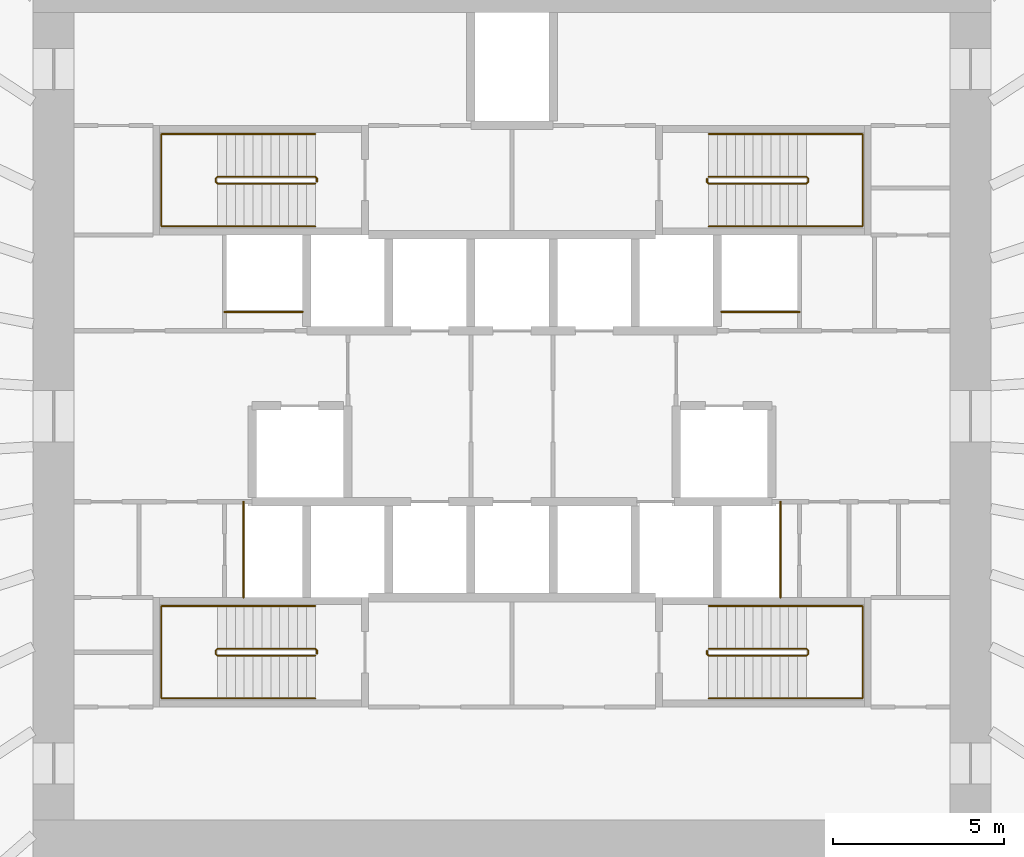
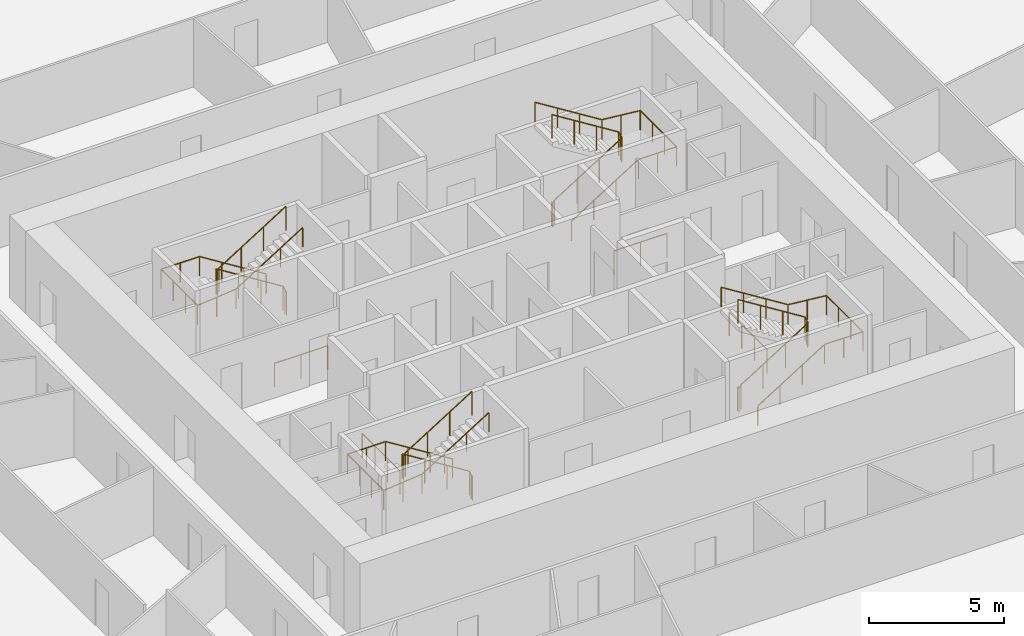
# One storey, part 11 of 11: 12 railings.
"""IFC4 building model written with IfcOpenShell, lengths in metres."""

from ifc_helpers import new_model, si_unit, direction, frame, origin, origin_2d, place, context, subcontext, project, spatial, circle, extrude, source, transform, mapped, material, type_object, element, save


model = new_model("IFC4")

# Units and contexts
model_context = context("Model", 3, precision=1e-05, world=origin(), true_north=direction((0.0, 1.0)))
body_context = subcontext(model_context, "Body", "Model", "MODEL_VIEW")
ifc_project = project(units=[si_unit("LENGTHUNIT", "METRE"), si_unit("AREAUNIT", "SQUARE_METRE"), si_unit("VOLUMEUNIT", "CUBIC_METRE"), si_unit("PLANEANGLEUNIT", "RADIAN"), si_unit("MASSUNIT", "GRAM", prefix="KILO")], contexts=[model_context])

# Site, building, storey
site_placement = place(None, origin())
site = spatial("IfcSite", under=ifc_project, at=site_placement, CompositionType="ELEMENT")
building_placement = place(site_placement, origin())
building = spatial("IfcBuilding", under=site, at=building_placement, Name="Embergate Tower", CompositionType="ELEMENT")
storey_placement = place(building_placement, frame((0.0, 0.0, 58.10009765625)))
storey = spatial("IfcBuildingStorey", under=building, at=storey_placement, Name="L10", CompositionType="ELEMENT", Elevation=58.10009765625)

# Railings
ifc_material_1 = material(Name="Stair handrail 900")
railing_type_1 = type_object("IfcRailingType", Name="Stair handrail 900", PredefinedType="HANDRAIL", material=ifc_material_1)
shared_shape_1 = source(origin(), body_context, "Body", "SweptSolid", [
    extrude(circle(Radius=0.02392578125, at=origin_2d()), frame((0.0, 0.0, 0.8759765625), z_axis=(-0.847994237388, 0.0, 0.530005446535), x_axis=(0.0, -1.0, 0.0)), (0.0, 0.0, 1.0), 3.372802734375),
    extrude(circle(Radius=0.02392578125, at=origin_2d()), frame((-2.860107421875, 0.0, 2.66357421875), z_axis=(-1.0, 0.0, 0.0), x_axis=(0.0, -1.0, 0.0)), (0.0, 0.0, 1.0), 1.639892578125),
    extrude(circle(Radius=0.02392578125, at=origin_2d()), frame((-4.5, 0.0, 2.66357421875), z_axis=(0.0, -1.0, 0.0), x_axis=(1.0, 0.0, 0.0)), (0.0, 0.0, 1.0), 2.699951171875),
    extrude(circle(Radius=0.02392578125, at=origin_2d()), frame((-4.5, -2.699951171875, 2.66357421875), z_axis=(0.995134983717, 0.0, 0.098520881967), x_axis=(0.0, 1.0, 0.0)), (0.0, 0.0, 1.0), 1.64794921875),
    extrude(circle(Radius=0.02392578125, at=origin_2d()), frame((-2.860107421875, -2.699951171875, 2.82568359375), z_axis=(0.847994237388, 0.0, 0.530005446535), x_axis=(0.0, 1.0, 0.0)), (0.0, 0.0, 1.0), 3.372802734375),
    extrude(circle(Radius=0.02099609375, at=origin_2d()), origin(), (0.0, 0.0, 1.0), 0.851806640625),
    extrude(circle(Radius=0.02099609375, at=origin_2d()), frame((-0.953369140625, 0.0, 0.595947265625)), (0.0, 0.0, 1.0), 0.851806640625),
    extrude(circle(Radius=0.02099609375, at=origin_2d()), frame((-1.90673828125, 0.0, 1.191650390625)), (0.0, 0.0, 1.0), 0.851806640625),
    extrude(circle(Radius=0.02099609375, at=origin_2d()), frame((-2.860107421875, 0.0, 1.78759765625)), (0.0, 0.0, 1.0), 0.851806640625),
    extrude(circle(Radius=0.02099609375, at=origin_2d()), frame((-3.68017578125, 0.0, 1.78759765625)), (0.0, 0.0, 1.0), 0.851806640625),
    extrude(circle(Radius=0.02099609375, at=origin_2d()), frame((-4.5, 0.0, 1.78759765625)), (0.0, 0.0, 1.0), 0.851806640625),
    extrude(circle(Radius=0.02099609375, at=origin_2d()), frame((-4.5, -0.89990234375, 1.78759765625)), (0.0, 0.0, 1.0), 0.851806640625),
    extrude(circle(Radius=0.02099609375, at=origin_2d()), frame((-4.5, -1.800048828125, 1.78759765625)), (0.0, 0.0, 1.0), 0.851806640625),
    extrude(circle(Radius=0.02099609375, at=origin_2d()), frame((-4.5, -2.699951171875, 1.78759765625)), (0.0, 0.0, 1.0), 0.851806640625),
    extrude(circle(Radius=0.02099609375, at=origin_2d()), frame((-3.68017578125, -2.699951171875, 1.86865234375)), (0.0, 0.0, 1.0), 0.851806640625),
    extrude(circle(Radius=0.02099609375, at=origin_2d()), frame((-2.860107421875, -2.699951171875, 1.949951171875)), (0.0, 0.0, 1.0), 0.851806640625),
    extrude(circle(Radius=0.02099609375, at=origin_2d()), frame((-1.90673828125, -2.699951171875, 2.5458984375)), (0.0, 0.0, 1.0), 0.851806640625),
    extrude(circle(Radius=0.02099609375, at=origin_2d()), frame((-0.953369140625, -2.699951171875, 3.1416015625)), (0.0, 0.0, 1.0), 0.851806640625),
    extrude(circle(Radius=0.02099609375, at=origin_2d()), frame((0.0, -2.699951171875, 3.737548828125)), (0.0, 0.0, 1.0), 0.851806640625),
])
for number, where, name in (
    (1, (-5.75, 8.25, 0.162353515625), "L10 ST1 stair handrail 1"),
    (2, (-5.75, -5.550048828125, 0.162353515625), "L10 ST3 stair handrail 1"),
):
    element("IfcRailing", number, at=place(storey_placement, frame(where)), inside=storey, type_object=railing_type_1, Name=name, PredefinedType="HANDRAIL", context=body_context, shape_type="MappedRepresentation", body=[
        mapped(shared_shape_1, transform((0.0, 0.0, 0.0))),
    ])
ifc_material_2 = material(Name="Stair guard 1100")
railing_type_2 = type_object("IfcRailingType", Name="Stair guard 1100", PredefinedType="GUARDRAIL", material=ifc_material_2)
shared_shape_2 = source(origin(), body_context, "Body", "SweptSolid", [
    extrude(circle(Radius=0.02392578125, at=origin_2d()), frame((0.0, 0.0, 1.076171875), z_axis=(0.0, 1.0, 0.0), x_axis=(-1.0, 0.0, 0.0)), (0.0, 0.0, 1.0), 0.099853515625),
    extrude(circle(Radius=0.02392578125, at=origin_2d()), frame((0.0, 0.099853515625, 1.076171875), z_axis=(-0.282583949758, 0.282583949758, 0.916674763849), x_axis=(-0.707106781187, -0.707106781187, 0.0)), (0.0, 0.0, 1.0), 0.177001953125),
    extrude(circle(Radius=0.02392578125, at=origin_2d()), frame((-0.050048828125, 0.14990234375, 1.23828125), z_axis=(-0.847994237388, 0.0, 0.530005446535), x_axis=(0.0, -1.0, 0.0)), (0.0, 0.0, 1.0), 3.372802734375),
    extrude(circle(Radius=0.02392578125, at=origin_2d()), frame((-2.91015625, 0.14990234375, 3.02587890625), z_axis=(-0.705375805398, -0.708833529934, 0.0), x_axis=(0.708833529934, -0.705375805398, 0.0)), (0.0, 0.0, 1.0), 0.070556640625),
    extrude(circle(Radius=0.02392578125, at=origin_2d()), frame((-2.9599609375, 0.099853515625, 3.02587890625), z_axis=(0.0, -1.0, 0.0), x_axis=(1.0, 0.0, 0.0)), (0.0, 0.0, 1.0), 0.099853515625),
    extrude(circle(Radius=0.02392578125, at=origin_2d()), frame((-2.9599609375, 0.0, 3.02587890625), z_axis=(0.281314826061, -0.282693820306, 0.917031173188), x_axis=(0.708833529934, 0.705375805398, 0.0)), (0.0, 0.0, 1.0), 0.177001953125),
    extrude(circle(Radius=0.02392578125, at=origin_2d()), frame((-2.91015625, -0.050048828125, 3.1884765625), z_axis=(0.847994237388, 0.0, 0.530005446535), x_axis=(0.0, 1.0, 0.0)), (0.0, 0.0, 1.0), 3.372802734375),
    extrude(circle(Radius=0.02099609375, at=origin_2d()), origin(), (0.0, 0.0, 1.0), 1.052001953125),
    extrude(circle(Radius=0.02099609375, at=origin_2d()), frame((0.0, 0.099853515625, 0.0)), (0.0, 0.0, 1.0), 1.052001953125),
    extrude(circle(Radius=0.02099609375, at=origin_2d()), frame((-0.050048828125, 0.14990234375, 0.162353515625)), (0.0, 0.0, 1.0), 1.052001953125),
    extrude(circle(Radius=0.02099609375, at=origin_2d()), frame((-1.00341796875, 0.14990234375, 0.75830078125)), (0.0, 0.0, 1.0), 1.052001953125),
    extrude(circle(Radius=0.02099609375, at=origin_2d()), frame((-1.956787109375, 0.14990234375, 1.35400390625)), (0.0, 0.0, 1.0), 1.052001953125),
    extrude(circle(Radius=0.02099609375, at=origin_2d()), frame((-2.91015625, 0.14990234375, 1.949951171875)), (0.0, 0.0, 1.0), 1.052001953125),
    extrude(circle(Radius=0.02099609375, at=origin_2d()), frame((-2.9599609375, 0.099853515625, 1.949951171875)), (0.0, 0.0, 1.0), 1.052001953125),
    extrude(circle(Radius=0.02099609375, at=origin_2d()), frame((-2.9599609375, 0.0, 1.949951171875)), (0.0, 0.0, 1.0), 1.052001953125),
    extrude(circle(Radius=0.02099609375, at=origin_2d()), frame((-2.91015625, -0.050048828125, 2.1123046875)), (0.0, 0.0, 1.0), 1.052001953125),
    extrude(circle(Radius=0.02099609375, at=origin_2d()), frame((-1.956787109375, -0.050048828125, 2.708251953125)), (0.0, 0.0, 1.0), 1.052001953125),
    extrude(circle(Radius=0.02099609375, at=origin_2d()), frame((-1.00341796875, -0.050048828125, 3.303955078125)), (0.0, 0.0, 1.0), 1.052001953125),
    extrude(circle(Radius=0.02099609375, at=origin_2d()), frame((-0.050048828125, -0.050048828125, 3.89990234375)), (0.0, 0.0, 1.0), 1.052001953125),
])
for number, where, name in (
    (3, (-5.699951171875, 6.85009765625, 0.0), "L10 ST1 stair guard 1"),
    (4, (-5.699951171875, -6.949951171875, 0.0), "L10 ST3 stair guard 1"),
):
    element("IfcRailing", number, at=place(storey_placement, frame(where)), inside=storey, type_object=railing_type_2, Name=name, PredefinedType="GUARDRAIL", context=body_context, shape_type="MappedRepresentation", body=[
        mapped(shared_shape_2, transform((0.0, 0.0, 0.0))),
    ])
shared_shape_3 = source(origin(), body_context, "Body", "SweptSolid", [
    extrude(circle(Radius=0.02392578125, at=origin_2d()), frame((0.0, 0.0, 0.8759765625), z_axis=(0.847994237388, 0.0, 0.530005446535), x_axis=(0.0, 1.0, 0.0)), (0.0, 0.0, 1.0), 3.372802734375),
    extrude(circle(Radius=0.02392578125, at=origin_2d()), frame((2.860107421875, 0.0, 2.66357421875), z_axis=(1.0, 0.0, 0.0), x_axis=(0.0, 1.0, 0.0)), (0.0, 0.0, 1.0), 1.639892578125),
    extrude(circle(Radius=0.02392578125, at=origin_2d()), frame((4.5, 0.0, 2.66357421875), z_axis=(0.0, 1.0, 0.0), x_axis=(-1.0, 0.0, 0.0)), (0.0, 0.0, 1.0), 2.699951171875),
    extrude(circle(Radius=0.02392578125, at=origin_2d()), frame((4.5, 2.699951171875, 2.66357421875), z_axis=(-0.995134983717, 0.0, 0.098520881967), x_axis=(0.0, -1.0, 0.0)), (0.0, 0.0, 1.0), 1.64794921875),
    extrude(circle(Radius=0.02392578125, at=origin_2d()), frame((2.860107421875, 2.699951171875, 2.82568359375), z_axis=(-0.847994237388, 0.0, 0.530005446535), x_axis=(0.0, -1.0, 0.0)), (0.0, 0.0, 1.0), 3.372802734375),
    extrude(circle(Radius=0.02099609375, at=origin_2d()), origin(), (0.0, 0.0, 1.0), 0.851806640625),
    extrude(circle(Radius=0.02099609375, at=origin_2d()), frame((0.953369140625, 0.0, 0.595947265625)), (0.0, 0.0, 1.0), 0.851806640625),
    extrude(circle(Radius=0.02099609375, at=origin_2d()), frame((1.90673828125, 0.0, 1.191650390625)), (0.0, 0.0, 1.0), 0.851806640625),
    extrude(circle(Radius=0.02099609375, at=origin_2d()), frame((2.860107421875, 0.0, 1.78759765625)), (0.0, 0.0, 1.0), 0.851806640625),
    extrude(circle(Radius=0.02099609375, at=origin_2d()), frame((3.68017578125, 0.0, 1.78759765625)), (0.0, 0.0, 1.0), 0.851806640625),
    extrude(circle(Radius=0.02099609375, at=origin_2d()), frame((4.5, 0.0, 1.78759765625)), (0.0, 0.0, 1.0), 0.851806640625),
    extrude(circle(Radius=0.02099609375, at=origin_2d()), frame((4.5, 0.89990234375, 1.78759765625)), (0.0, 0.0, 1.0), 0.851806640625),
    extrude(circle(Radius=0.02099609375, at=origin_2d()), frame((4.5, 1.800048828125, 1.78759765625)), (0.0, 0.0, 1.0), 0.851806640625),
    extrude(circle(Radius=0.02099609375, at=origin_2d()), frame((4.5, 2.699951171875, 1.78759765625)), (0.0, 0.0, 1.0), 0.851806640625),
    extrude(circle(Radius=0.02099609375, at=origin_2d()), frame((3.68017578125, 2.699951171875, 1.86865234375)), (0.0, 0.0, 1.0), 0.851806640625),
    extrude(circle(Radius=0.02099609375, at=origin_2d()), frame((2.860107421875, 2.699951171875, 1.949951171875)), (0.0, 0.0, 1.0), 0.851806640625),
    extrude(circle(Radius=0.02099609375, at=origin_2d()), frame((1.90673828125, 2.699951171875, 2.5458984375)), (0.0, 0.0, 1.0), 0.851806640625),
    extrude(circle(Radius=0.02099609375, at=origin_2d()), frame((0.953369140625, 2.699951171875, 3.1416015625)), (0.0, 0.0, 1.0), 0.851806640625),
    extrude(circle(Radius=0.02099609375, at=origin_2d()), frame((0.0, 2.699951171875, 3.737548828125)), (0.0, 0.0, 1.0), 0.851806640625),
])
for number, where, name in (
    (5, (5.75, 5.550048828125, 0.162353515625), "L10 ST2 stair handrail 1"),
    (6, (5.75, -8.25, 0.162353515625), "L10 ST4 stair handrail 1"),
):
    element("IfcRailing", number, at=place(storey_placement, frame(where)), inside=storey, type_object=railing_type_1, Name=name, PredefinedType="HANDRAIL", context=body_context, shape_type="MappedRepresentation", body=[
        mapped(shared_shape_3, transform((0.0, 0.0, 0.0))),
    ])
shared_shape_4 = source(origin(), body_context, "Body", "SweptSolid", [
    extrude(circle(Radius=0.02392578125, at=origin_2d()), frame((0.0, 0.0, 1.076171875), z_axis=(0.0, -1.0, 0.0), x_axis=(1.0, 0.0, 0.0)), (0.0, 0.0, 1.0), 0.099853515625),
    extrude(circle(Radius=0.02392578125, at=origin_2d()), frame((0.0, -0.099853515625, 1.076171875), z_axis=(0.282583949758, -0.282583949758, 0.916674763849), x_axis=(0.707106781187, 0.707106781187, 0.0)), (0.0, 0.0, 1.0), 0.177001953125),
    extrude(circle(Radius=0.02392578125, at=origin_2d()), frame((0.050048828125, -0.14990234375, 1.23828125), z_axis=(0.847994237388, 0.0, 0.530005446535), x_axis=(0.0, 1.0, 0.0)), (0.0, 0.0, 1.0), 3.372802734375),
    extrude(circle(Radius=0.02392578125, at=origin_2d()), frame((2.91015625, -0.14990234375, 3.02587890625), z_axis=(0.705375805398, 0.708833529934, 0.0), x_axis=(-0.708833529934, 0.705375805398, 0.0)), (0.0, 0.0, 1.0), 0.070556640625),
    extrude(circle(Radius=0.02392578125, at=origin_2d()), frame((2.9599609375, -0.099853515625, 3.02587890625), z_axis=(0.0, 1.0, 0.0), x_axis=(-1.0, 0.0, 0.0)), (0.0, 0.0, 1.0), 0.099853515625),
    extrude(circle(Radius=0.02392578125, at=origin_2d()), frame((2.9599609375, 0.0, 3.02587890625), z_axis=(-0.281314826061, 0.282693820306, 0.917031173188), x_axis=(-0.708833529934, -0.705375805398, 0.0)), (0.0, 0.0, 1.0), 0.177001953125),
    extrude(circle(Radius=0.02392578125, at=origin_2d()), frame((2.91015625, 0.050048828125, 3.1884765625), z_axis=(-0.847994237388, 0.0, 0.530005446535), x_axis=(0.0, -1.0, 0.0)), (0.0, 0.0, 1.0), 3.372802734375),
    extrude(circle(Radius=0.02099609375, at=origin_2d()), origin(), (0.0, 0.0, 1.0), 1.052001953125),
    extrude(circle(Radius=0.02099609375, at=origin_2d()), frame((0.0, -0.099853515625, 0.0)), (0.0, 0.0, 1.0), 1.052001953125),
    extrude(circle(Radius=0.02099609375, at=origin_2d()), frame((0.050048828125, -0.14990234375, 0.162353515625)), (0.0, 0.0, 1.0), 1.052001953125),
    extrude(circle(Radius=0.02099609375, at=origin_2d()), frame((1.00341796875, -0.14990234375, 0.75830078125)), (0.0, 0.0, 1.0), 1.052001953125),
    extrude(circle(Radius=0.02099609375, at=origin_2d()), frame((1.956787109375, -0.14990234375, 1.35400390625)), (0.0, 0.0, 1.0), 1.052001953125),
    extrude(circle(Radius=0.02099609375, at=origin_2d()), frame((2.91015625, -0.14990234375, 1.949951171875)), (0.0, 0.0, 1.0), 1.052001953125),
    extrude(circle(Radius=0.02099609375, at=origin_2d()), frame((2.9599609375, -0.099853515625, 1.949951171875)), (0.0, 0.0, 1.0), 1.052001953125),
    extrude(circle(Radius=0.02099609375, at=origin_2d()), frame((2.9599609375, 0.0, 1.949951171875)), (0.0, 0.0, 1.0), 1.052001953125),
    extrude(circle(Radius=0.02099609375, at=origin_2d()), frame((2.91015625, 0.050048828125, 2.1123046875)), (0.0, 0.0, 1.0), 1.052001953125),
    extrude(circle(Radius=0.02099609375, at=origin_2d()), frame((1.956787109375, 0.050048828125, 2.708251953125)), (0.0, 0.0, 1.0), 1.052001953125),
    extrude(circle(Radius=0.02099609375, at=origin_2d()), frame((1.00341796875, 0.050048828125, 3.303955078125)), (0.0, 0.0, 1.0), 1.052001953125),
    extrude(circle(Radius=0.02099609375, at=origin_2d()), frame((0.050048828125, 0.050048828125, 3.89990234375)), (0.0, 0.0, 1.0), 1.052001953125),
])
for number, where, name in (
    (7, (5.699951171875, 6.949951171875, 0.0), "L10 ST2 stair guard 1"),
    (8, (5.699951171875, -6.85009765625, 0.0), "L10 ST4 stair guard 1"),
):
    element("IfcRailing", number, at=place(storey_placement, frame(where)), inside=storey, type_object=railing_type_2, Name=name, PredefinedType="GUARDRAIL", context=body_context, shape_type="MappedRepresentation", body=[
        mapped(shared_shape_4, transform((0.0, 0.0, 0.0))),
    ])
ifc_material_3 = material(Name="Opening guard 1100")
railing_type_3 = type_object("IfcRailingType", Name="Opening guard 1100", PredefinedType="GUARDRAIL", material=ifc_material_3)
shared_shape_5 = source(origin(), body_context, "Body", "SweptSolid", [
    extrude(circle(Radius=0.02392578125, at=origin_2d()), frame((0.0, 0.0, 1.076171875), z_axis=(1.0, 0.0, 0.0), x_axis=(0.0, 1.0, 0.0)), (0.0, 0.0, 1.0), 2.27490234375),
    extrude(circle(Radius=0.02099609375, at=origin_2d()), origin(), (0.0, 0.0, 1.0), 1.052001953125),
    extrude(circle(Radius=0.02099609375, at=origin_2d()), frame((1.137451171875, 0.0, 0.0)), (0.0, 0.0, 1.0), 1.052001953125),
    extrude(circle(Radius=0.02099609375, at=origin_2d()), frame((2.27490234375, 0.0, 0.0)), (0.0, 0.0, 1.0), 1.052001953125),
])
for number, where, name in (
    (9, (-8.39990234375, 3.050048828125, 0.0), "Riser opening guard"),
    (10, (6.125, 3.050048828125, 0.0), "Riser opening guard"),
):
    element("IfcRailing", number, at=place(storey_placement, frame(where)), inside=storey, type_object=railing_type_3, Name=name, PredefinedType="GUARDRAIL", context=body_context, shape_type="MappedRepresentation", body=[
        mapped(shared_shape_5, transform((0.0, 0.0, 0.0))),
    ])
shared_shape_6 = source(origin(), body_context, "Body", "SweptSolid", [
    extrude(circle(Radius=0.02392578125, at=origin_2d()), frame((0.0, 0.0, 1.076171875), z_axis=(0.0, 1.0, 0.0), x_axis=(-1.0, 0.0, 0.0)), (0.0, 0.0, 1.0), 2.800048828125),
    extrude(circle(Radius=0.02099609375, at=origin_2d()), origin(), (0.0, 0.0, 1.0), 1.052001953125),
    extrude(circle(Radius=0.02099609375, at=origin_2d()), frame((0.0, 0.933349609375, 0.0)), (0.0, 0.0, 1.0), 1.052001953125),
    extrude(circle(Radius=0.02099609375, at=origin_2d()), frame((0.0, 1.86669921875, 0.0)), (0.0, 0.0, 1.0), 1.052001953125),
    extrude(circle(Radius=0.02099609375, at=origin_2d()), frame((0.0, 2.800048828125, 0.0)), (0.0, 0.0, 1.0), 1.052001953125),
])
for number, where, name in (
    (11, (-7.85009765625, -5.300048828125, 0.0), "Riser opening guard"),
    (12, (7.85009765625, -5.300048828125, 0.0), "Riser opening guard"),
):
    element("IfcRailing", number, at=place(storey_placement, frame(where)), inside=storey, type_object=railing_type_3, Name=name, PredefinedType="GUARDRAIL", context=body_context, shape_type="MappedRepresentation", body=[
        mapped(shared_shape_6, transform((0.0, 0.0, 0.0))),
    ])

save(model, "model.ifc")
